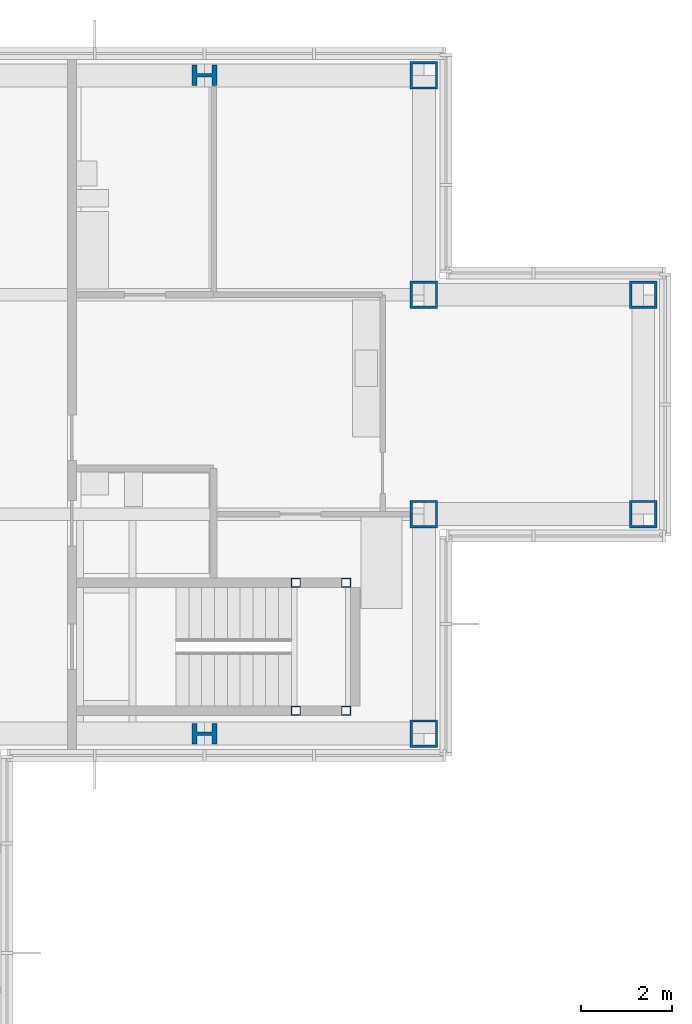
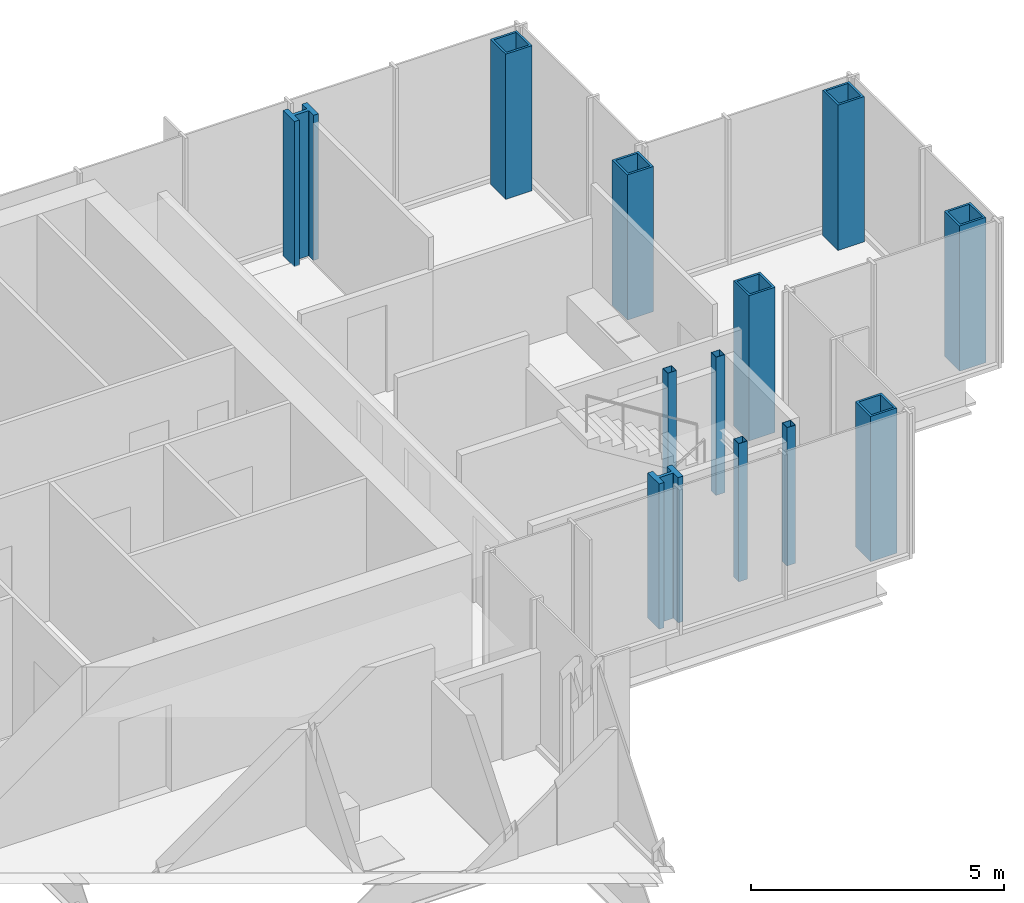
# One storey, part 4 of 15: 12 columns.
"""IFC4 building model written with IfcOpenShell, lengths in metres."""

from ifc_helpers import new_model, si_unit, direction, frame, origin, origin_2d, place, context, subcontext, project, spatial, hollow_rectangle, i_section, extrude, material, material_profile, profile_set, type_object, element, save


model = new_model("IFC4")

# Units and contexts
model_context = context("Model", 3, precision=1e-05, world=origin(), true_north=direction((0.0, 1.0)))
body_context = subcontext(model_context, "Body", "Model", "MODEL_VIEW")
ifc_project = project(units=[si_unit("LENGTHUNIT", "METRE"), si_unit("AREAUNIT", "SQUARE_METRE"), si_unit("VOLUMEUNIT", "CUBIC_METRE"), si_unit("PLANEANGLEUNIT", "RADIAN"), si_unit("MASSUNIT", "GRAM", prefix="KILO")], contexts=[model_context])

# Site, building, storey
site_placement = place(None, origin())
site = spatial("IfcSite", under=ifc_project, at=site_placement, CompositionType="ELEMENT")
building_placement = place(site_placement, origin())
building = spatial("IfcBuilding", under=site, at=building_placement, Name="Kvirike Care Tower", CompositionType="ELEMENT")
storey_placement = place(building_placement, frame((0.0, 0.0, 236.5)))
storey = spatial("IfcBuildingStorey", under=building, at=storey_placement, Name="L65", CompositionType="ELEMENT", Elevation=236.5)

# Columns
ifc_material_1 = material(Name="Steel S460", Category="steel")
ifc_material_profile_1 = material_profile(ifc_material_1, hollow_rectangle(XDim=0.60009765625, YDim=0.60009765625, WallThickness=0.050048828125, at=origin_2d()), Name="BX 600x600x50")
ifc_profile_set_1 = profile_set([ifc_material_profile_1], Name="Steel S460")
column_type_1 = type_object("IfcColumnType", Name="COLUMN BX 600x600x50", PredefinedType="COLUMN", material=ifc_profile_set_1)
for number, where, z_axis, x_axis, name in (
    (1, (38.39990234375, 28.800048828125, 0.0), (0.0, 0.0, 1.0), (0.0, 1.0, 0.0), "Column G11 L65"),
    (2, (38.39990234375, 33.60009765625, 0.0), (0.0, 0.0, 1.0), (0.0, 1.0, 0.0), "Column H11 L65"),
    (3, (38.39990234375, 38.39990234375, 0.0), (0.0, 0.0, 1.0), (0.0, 1.0, 0.0), "Column J11 L65"),
    (4, (38.39990234375, 43.199951171875, 0.0), (0.0, 0.0, 1.0), (0.0, 1.0, 0.0), "Column K11 L65"),
    (5, (43.199951171875, 33.60009765625, 0.0), (0.0, 0.0, 1.0), (0.0, 1.0, 0.0), "Column H12 L65"),
    (6, (43.199951171875, 38.39990234375, 0.0), (0.0, 0.0, 1.0), (0.0, 1.0, 0.0), "Column J12 L65"),
):
    element("IfcColumn", number, at=place(storey_placement, frame(where, z_axis=z_axis, x_axis=x_axis)), inside=storey, type_object=column_type_1, Name=name, PredefinedType="COLUMN", context=body_context, shape_type="SweptSolid", body=[
        extrude(hollow_rectangle(XDim=0.60009765625, YDim=0.60009765625, WallThickness=0.050048828125, at=origin_2d()), origin(), (0.0, 0.0, 1.0), 3.5),
    ])
ifc_material_2 = material(Name="Steel S460", Category="steel")
ifc_material_profile_2 = material_profile(ifc_material_2, i_section(OverallWidth=0.447998046875, OverallDepth=0.550048828125, WebThickness=0.072021484375, FlangeThickness=0.114990234375, FilletRadius=0.014892578125, at=origin_2d()), Name="HD 400x990")
ifc_profile_set_2 = profile_set([ifc_material_profile_2], Name="Steel S460")
column_type_2 = type_object("IfcColumnType", Name="COLUMN HD 400x990", PredefinedType="COLUMN", material=ifc_profile_set_2)
for number, where, z_axis, x_axis, name in (
    (7, (33.60009765625, 28.800048828125, 0.0), (0.0, 0.0, 1.0), (0.0, 1.0, 0.0), "Column G10 L65"),
    (8, (33.60009765625, 43.199951171875, 0.0), (0.0, 0.0, 1.0), (0.0, 1.0, 0.0), "Column K10 L65"),
):
    element("IfcColumn", number, at=place(storey_placement, frame(where, z_axis=z_axis, x_axis=x_axis)), inside=storey, type_object=column_type_2, Name=name, PredefinedType="COLUMN", context=body_context, shape_type="SweptSolid", body=[
        extrude(i_section(OverallWidth=0.447998046875, OverallDepth=0.550048828125, WebThickness=0.072021484375, FlangeThickness=0.114990234375, FilletRadius=0.014892578125, at=origin_2d()), origin(), (0.0, 0.0, 1.0), 3.5),
    ])
ifc_material_3 = material(Name="Steel S460", Category="steel")
ifc_material_profile_3 = material_profile(ifc_material_3, hollow_rectangle(XDim=0.199951171875, YDim=0.199951171875, WallThickness=0.008056640625, at=origin_2d()), Name="SHS 200x200x8")
ifc_profile_set_3 = profile_set([ifc_material_profile_3], Name="Steel S460")
column_type_3 = type_object("IfcColumnType", Name="STAIR POST SHS 200x200x8", PredefinedType="COLUMN", material=ifc_profile_set_3)
for number, where, z_axis, x_axis, name in (
    (9, (36.699951171875, 29.300048828125, 0.0), (0.0, 0.0, 1.0), (1.0, 0.0, 0.0), "Stair 2 post 1 L65"),
    (10, (36.699951171875, 32.10009765625, 0.0), (0.0, 0.0, 1.0), (1.0, 0.0, 0.0), "Stair 2 post 2 L65"),
    (11, (35.60009765625, 29.300048828125, 0.0), (0.0, 0.0, 1.0), (1.0, 0.0, 0.0), "Stair 2 post 3 L65"),
    (12, (35.60009765625, 32.10009765625, 0.0), (0.0, 0.0, 1.0), (1.0, 0.0, 0.0), "Stair 2 post 4 L65"),
):
    element("IfcColumn", number, at=place(storey_placement, frame(where, z_axis=z_axis, x_axis=x_axis)), inside=storey, type_object=column_type_3, Name=name, PredefinedType="COLUMN", context=body_context, shape_type="SweptSolid", body=[
        extrude(hollow_rectangle(XDim=0.199951171875, YDim=0.199951171875, WallThickness=0.008056640625, at=origin_2d()), origin(), (0.0, 0.0, 1.0), 3.330078125),
    ])

save(model, "model.ifc")
